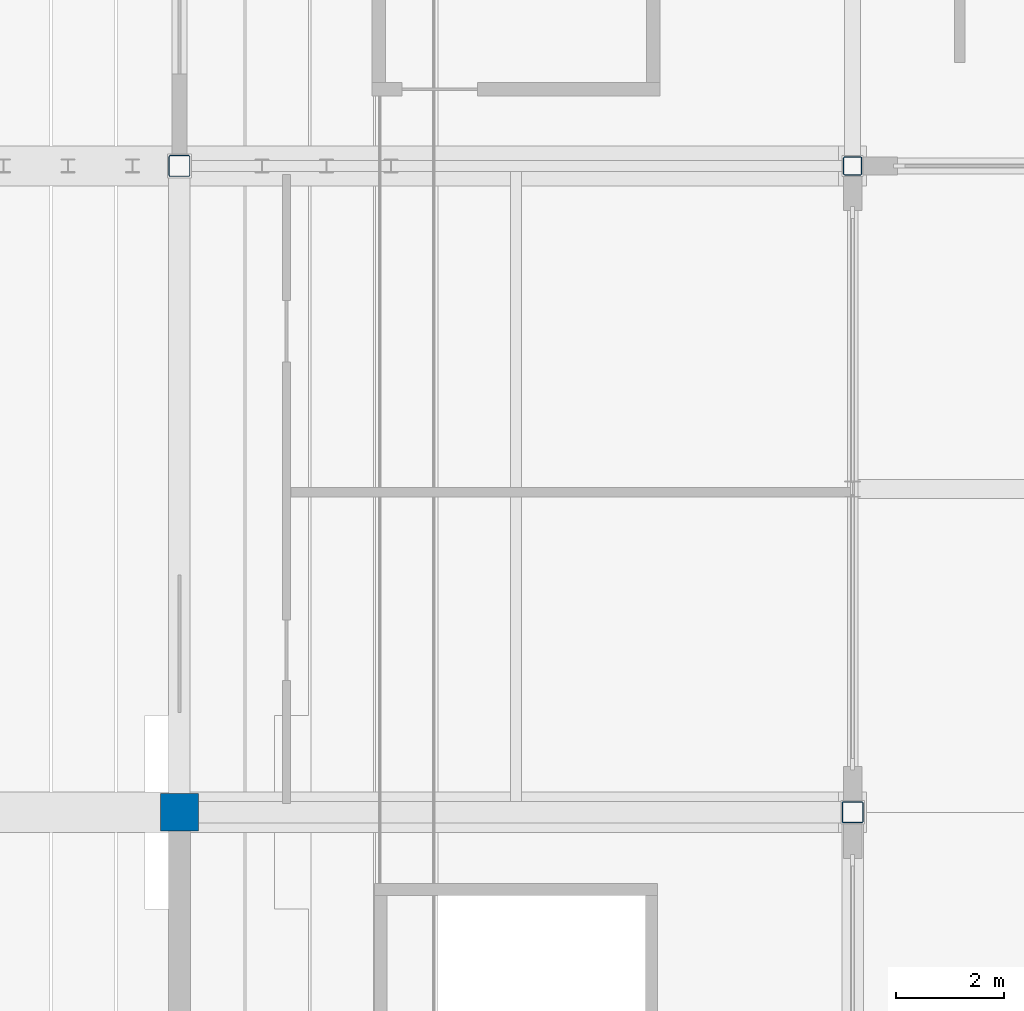
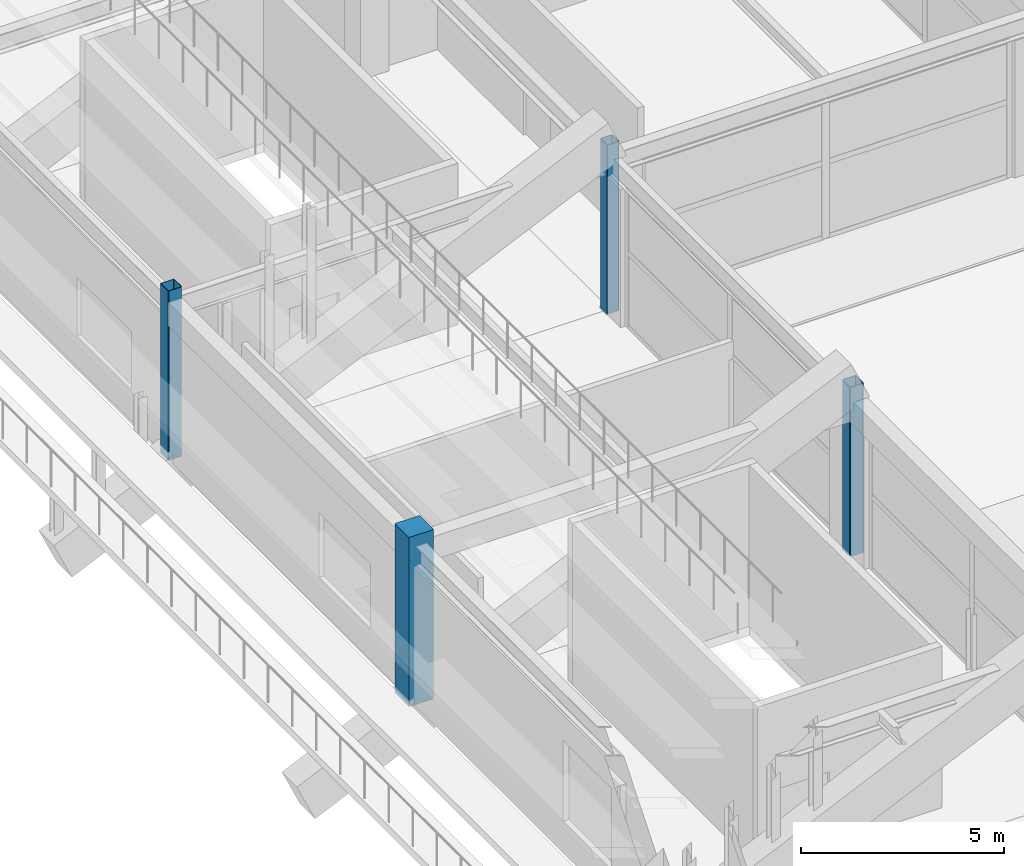
# One storey, part 15 of 128: 4 columns.
"""IFC4 building model written with IfcOpenShell, lengths in metres."""

import ifcopenshell
import ifcopenshell.guid

model = None  # the IFC model being written
_history = None  # IfcOwnerHistory: only IFC2X3 demands one
_inside = {}  # id of a spatial element -> (the spatial element, [elements in it])
_under = {}  # id of a project, library or spatial element -> (it, [spatial elements below it])
_declared = {}  # id of a project -> (the project, [libraries it declares])
_typed = {}  # id of a type object -> (the type object, [elements of that type])
_made_of = {}  # id of a material, layer set ... -> (it, [elements and type objects made of it])


def new_model(schema):
    """Start an empty IFC model of exactly this schema.

    Asked for "IFC4X3", IfcOpenShell would pick the latest addendum, in which some entities
    have other attributes; the version numbers below select the first issue.
    IFC2X3 requires an IfcOwnerHistory on every rooted entity: one is made here for all.
    """
    global model, _history
    if schema == "IFC4X3":
        model = ifcopenshell.file(schema_version=(4, 3, 0, 0))
    else:
        model = ifcopenshell.file(schema=schema)
    _inside.clear()
    _under.clear()
    _declared.clear()
    _typed.clear()
    _made_of.clear()
    _history = None
    if model.schema == "IFC2X3":
        org = make("IfcOrganization", Name="unknown")
        user = make(
            "IfcPersonAndOrganization",
            ThePerson=make("IfcPerson", FamilyName="unknown"),
            TheOrganization=org,
        )
        app = make(
            "IfcApplication",
            ApplicationDeveloper=org,
            Version="unknown",
            ApplicationFullName="unknown",
            ApplicationIdentifier="unknown",
        )
        _history = make(
            "IfcOwnerHistory",
            OwningUser=user,
            OwningApplication=app,
            ChangeAction="ADDED",
            CreationDate=0,
        )
    return model


def make(cls, **values):
    """One entity of the class cls with the attributes given. An attribute that is None is left unset."""
    return model.create_entity(
        cls, **{name: value for name, value in values.items() if value is not None}
    )


def rooted(cls, **values):
    """An entity with a GlobalId (a new one), such as an element, a storey or a relation."""
    return make(cls, GlobalId=ifcopenshell.guid.new(), OwnerHistory=_history, **values)


def si_unit(unit_type, name, prefix=None):
    """IfcSIUnit, for example si_unit("LENGTHUNIT", "METRE", prefix="MILLI")."""
    return make("IfcSIUnit", UnitType=unit_type, Prefix=prefix, Name=name)


def assignment(units):
    """IfcUnitAssignment: the units of a project."""
    return None if units is None else make("IfcUnitAssignment", Units=units)


def point(xyz):
    """IfcCartesianPoint."""
    return None if xyz is None else make("IfcCartesianPoint", Coordinates=xyz)


def direction(xyz):
    """IfcDirection."""
    return None if xyz is None else make("IfcDirection", DirectionRatios=xyz)


def frame(location, z_axis=None, x_axis=None):
    """IfcAxis2Placement3D, a coordinate frame: its origin and axes. An axis left out is left unset."""
    return make(
        "IfcAxis2Placement3D",
        Location=point(location),
        Axis=direction(z_axis),
        RefDirection=direction(x_axis),
    )


def frame_2d(location, x_axis=None):
    """IfcAxis2Placement2D, a coordinate frame in the plane: its origin and x axis."""
    return make(
        "IfcAxis2Placement2D", Location=point(location), RefDirection=direction(x_axis)
    )


def origin():
    """The frame at (0, 0, 0) with its axes left unset."""
    return frame((0.0, 0.0, 0.0))


def origin_2d():
    """The frame at (0, 0) in the plane with its x axis left unset."""
    return frame_2d((0.0, 0.0))


def place(relative_to, where):
    """IfcLocalPlacement: puts the frame where relative to a parent placement (None: the world)."""
    return make(
        "IfcLocalPlacement", PlacementRelTo=relative_to, RelativePlacement=where
    )


def context(
    kind, dimensions, precision=None, world=None, true_north=None, identifier=None
):
    """IfcGeometricRepresentationContext, for example the 3D "Model" context."""
    return make(
        "IfcGeometricRepresentationContext",
        ContextIdentifier=identifier,
        ContextType=kind,
        CoordinateSpaceDimension=dimensions,
        Precision=precision,
        WorldCoordinateSystem=world,
        TrueNorth=true_north,
    )


def subcontext(parent, identifier, kind, view, scale=None):
    """IfcGeometricRepresentationSubContext, for example "Body" below "Model"."""
    return make(
        "IfcGeometricRepresentationSubContext",
        ContextIdentifier=identifier,
        ContextType=kind,
        ParentContext=parent,
        TargetScale=scale,
        TargetView=view,
    )


def project(units=None, contexts=None):
    """IfcProject with its units and contexts."""
    return rooted(
        "IfcProject",
        Name="project",
        RepresentationContexts=contexts,
        UnitsInContext=assignment(units),
    )


def spatial(cls, under=None, at=None, **own):
    """A site, building, storey or space (cls), placed at a placement, below another one or the project."""
    s = rooted(cls, ObjectPlacement=at, **own)
    if under is not None:
        _under.setdefault(under.id(), (under, []))[1].append(s)
    return s


def profile(cls, at=None, kind="AREA", **sizes):
    """A parametric profile (cls). Its sizes go by their IFC names, for example OverallWidth=200.0."""
    return make(cls, ProfileType=kind, Position=at, **sizes)


def rectangle(**sizes):
    """IfcRectangleProfileDef."""
    return profile("IfcRectangleProfileDef", **sizes)


def hollow_rectangle(**sizes):
    """IfcRectangleHollowProfileDef."""
    return profile("IfcRectangleHollowProfileDef", **sizes)


def extrude(swept, where, along, depth):
    """IfcExtrudedAreaSolid: the profile swept, set in the frame where, extruded along a direction by depth."""
    return make(
        "IfcExtrudedAreaSolid",
        SweptArea=swept,
        Position=where,
        ExtrudedDirection=direction(along),
        Depth=depth,
    )


def shape(context_of_items, identifier, shape_type, items):
    """IfcShapeRepresentation: the items that make up one representation, for example the "Body"."""
    return make(
        "IfcShapeRepresentation",
        ContextOfItems=context_of_items,
        RepresentationIdentifier=identifier,
        RepresentationType=shape_type,
        Items=items,
    )


def material(Name=None, Category=None):
    """IfcMaterial."""
    return make("IfcMaterial", Name=Name, Category=Category)


def material_profile(
    of_material, cross_section, Name=None, Category=None, Priority=None
):
    """IfcMaterialProfile: a cross section and its material."""
    return make(
        "IfcMaterialProfile",
        Name=Name,
        Material=of_material,
        Profile=cross_section,
        Priority=Priority,
        Category=Category,
    )


def profile_set(profiles, Name=None, composite=None):
    """IfcMaterialProfileSet."""
    return make(
        "IfcMaterialProfileSet",
        Name=Name,
        MaterialProfiles=profiles,
        CompositeProfile=composite,
    )


def made_of(thing, what):
    """Note that an element or type object is made of a material, layer set ...; save() writes the relation."""
    if what is not None:
        _made_of.setdefault(what.id(), (what, []))[1].append(thing)
    return thing


def type_object(cls, material=None, **own):
    """A type object (cls), such as IfcWallType, which elements share."""
    return made_of(rooted(cls, **own), material)


def element(
    cls,
    number,
    at=None,
    inside=None,
    cuts=None,
    type_object=None,
    material=None,
    context=None,
    identifier="Body",
    shape_type=None,
    held_by="IfcProductDefinitionShape",
    body=None,
    shapes=None,
    **own,
):
    """One element of the class cls, such as IfcWall. Its Tag is "e" and its number.

    at: its placement. inside: the storey or other place that contains it. cuts: it is an
    opening in that element (IfcRelVoidsElement). A single representation is given by context,
    identifier, shape_type and body (its items); several are given by shapes. held_by: the class
    of the entity that holds the representations. save() writes the other relations.
    """
    e = rooted(cls, Tag="e%d" % number, ObjectPlacement=at, **own)
    if body is not None:
        shapes = [shape(context, identifier, shape_type, body)]
    if shapes is not None:
        e.Representation = make(held_by, Representations=shapes)
    if inside is not None:
        _inside.setdefault(inside.id(), (inside, []))[1].append(e)
    if cuts is not None:
        rooted(
            "IfcRelVoidsElement", RelatingBuildingElement=cuts, RelatedOpeningElement=e
        )
    if type_object is not None:
        _typed.setdefault(type_object.id(), (type_object, []))[1].append(e)
    return made_of(e, material)


def aggregate(whole, parts):
    """IfcRelAggregates: a whole, such as a stair, and the parts it consists of."""
    return rooted("IfcRelAggregates", RelatingObject=whole, RelatedObjects=parts)


def save(model, path):
    """Write the relations noted so far, then the file.

    IfcRelAggregates (storeys below a building ...), IfcRelContainedInSpatialStructure (elements
    in a storey), IfcRelDefinesByType, IfcRelAssociatesMaterial and IfcRelDeclares: one each for
    every whole, place, type object, material and project.
    """
    for whole, parts in _under.values():
        aggregate(whole, parts)
    for where, things in _inside.values():
        rooted(
            "IfcRelContainedInSpatialStructure",
            RelatedElements=things,
            RelatingStructure=where,
        )
    for kind, things in _typed.values():
        rooted("IfcRelDefinesByType", RelatedObjects=things, RelatingType=kind)
    for what, things in _made_of.values():
        rooted("IfcRelAssociatesMaterial", RelatedObjects=things, RelatingMaterial=what)
    for by, libraries in _declared.values():
        rooted("IfcRelDeclares", RelatingContext=by, RelatedDefinitions=libraries)
    model.write(path)


model = new_model("IFC4")

# Units and contexts
model_context = context("Model", 3, precision=1e-05, world=origin(), true_north=direction((0.0, 1.0)))
body_context = subcontext(model_context, "Body", "Model", "MODEL_VIEW")
ifc_project = project(units=[si_unit("LENGTHUNIT", "METRE"), si_unit("AREAUNIT", "SQUARE_METRE"), si_unit("VOLUMEUNIT", "CUBIC_METRE"), si_unit("PLANEANGLEUNIT", "RADIAN"), si_unit("MASSUNIT", "GRAM", prefix="KILO")], contexts=[model_context])

# Site, building, storey
site_placement = place(None, origin())
site = spatial("IfcSite", under=ifc_project, at=site_placement, CompositionType="ELEMENT")
building_placement = place(site_placement, origin())
building = spatial("IfcBuilding", under=site, at=building_placement, Name="Kazenohara Klinker Stadium", CompositionType="ELEMENT")
storey_placement = place(building_placement, frame((0.0, 0.0, 15.300048828125)))
storey = spatial("IfcBuildingStorey", under=building, at=storey_placement, Name="L03", CompositionType="ELEMENT", Elevation=15.300048828125)

# Columns
ifc_material_1 = material(Name="Concrete C40/50", Category="concrete")
ifc_material_profile_1 = material_profile(ifc_material_1, rectangle(XDim=0.699951171875, YDim=0.699951171875, at=origin_2d()), Name="RC-COL-700x700")
ifc_profile_set_1 = profile_set([ifc_material_profile_1], Name="Concrete C40/50")
column_type_1 = type_object("IfcColumnType", Name="COL-RC06", PredefinedType="COLUMN", material=ifc_profile_set_1)
column_1_placement = place(storey_placement, frame((175.0, 84.0, 0.0), z_axis=(0.0, 0.0, 1.0), x_axis=(1.0, 0.0, 0.0)))
element("IfcColumn", 1, at=column_1_placement, inside=storey, type_object=column_type_1, Name="Column C06 L03 15/H", PredefinedType="COLUMN", context=body_context, shape_type="SweptSolid", body=[
    extrude(rectangle(XDim=0.699951171875, YDim=0.699951171875, at=origin_2d()), origin(), (0.0, 0.0, 1.0), 5.099853515625),
])
ifc_material_2 = material(Name="Steel S355", Category="steel")
ifc_material_profile_2 = material_profile(ifc_material_2, hollow_rectangle(XDim=0.39990234375, YDim=0.39990234375, WallThickness=0.01611328125, InnerFilletRadius=0.01611328125, OuterFilletRadius=0.031982421875, at=origin_2d()), Name="SHS-400x400x16")
ifc_profile_set_2 = profile_set([ifc_material_profile_2], Name="Steel S355")
column_type_2 = type_object("IfcColumnType", Name="COL-ST01", PredefinedType="COLUMN", material=ifc_profile_set_2)
for number, where, z_axis, x_axis, name in (
    (2, (175.0, 96.0, 0.0), (0.0, 0.0, 1.0), (1.0, 0.0, 0.0), "Column SC01 L03 15/J"),
    (3, (187.5, 84.0, 0.0), (0.0, 0.0, 1.0), (1.0, 0.0, 0.0), "Column SC01 L03 16/H"),
):
    element("IfcColumn", number, at=place(storey_placement, frame(where, z_axis=z_axis, x_axis=x_axis)), inside=storey, type_object=column_type_2, Name=name, PredefinedType="COLUMN", context=body_context, shape_type="SweptSolid", body=[
        extrude(hollow_rectangle(XDim=0.39990234375, YDim=0.39990234375, WallThickness=0.01611328125, InnerFilletRadius=0.01611328125, OuterFilletRadius=0.031982421875, at=origin_2d()), origin(), (0.0, 0.0, 1.0), 5.099853515625),
    ])
ifc_material_profile_3 = material_profile(ifc_material_2, hollow_rectangle(XDim=0.35009765625, YDim=0.35009765625, WallThickness=0.01611328125, InnerFilletRadius=0.01611328125, OuterFilletRadius=0.031982421875, at=origin_2d()), Name="SHS-350x350x16")
ifc_profile_set_3 = profile_set([ifc_material_profile_3], Name="Steel S355")
column_type_3 = type_object("IfcColumnType", Name="COL-ST02", PredefinedType="COLUMN", material=ifc_profile_set_3)
column_2_placement = place(storey_placement, frame((187.5, 96.0, 0.0), z_axis=(0.0, 0.0, 1.0), x_axis=(1.0, 0.0, 0.0)))
element("IfcColumn", 4, at=column_2_placement, inside=storey, type_object=column_type_3, Name="Column SC02 L03 16/J", PredefinedType="COLUMN", context=body_context, shape_type="SweptSolid", body=[
    extrude(hollow_rectangle(XDim=0.35009765625, YDim=0.35009765625, WallThickness=0.01611328125, InnerFilletRadius=0.01611328125, OuterFilletRadius=0.031982421875, at=origin_2d()), origin(), (0.0, 0.0, 1.0), 5.099853515625),
])

save(model, "model.ifc")
